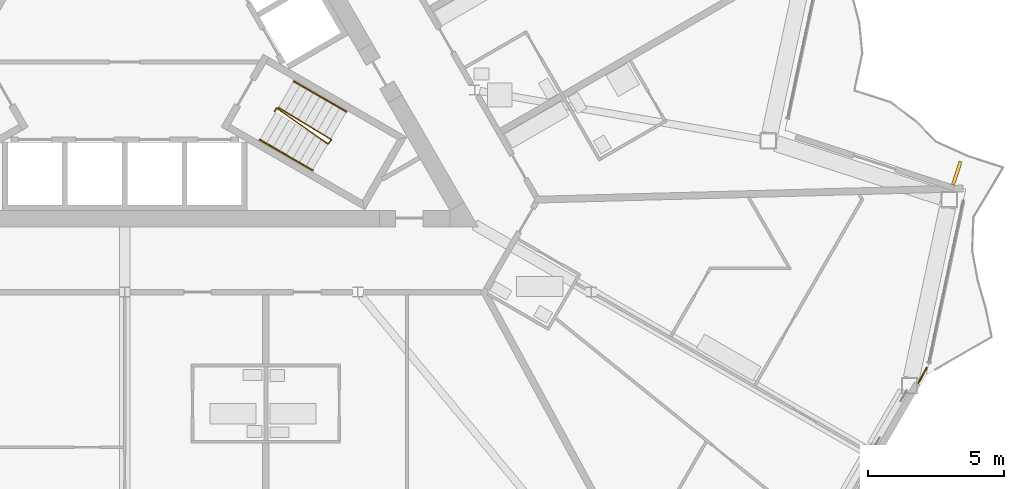
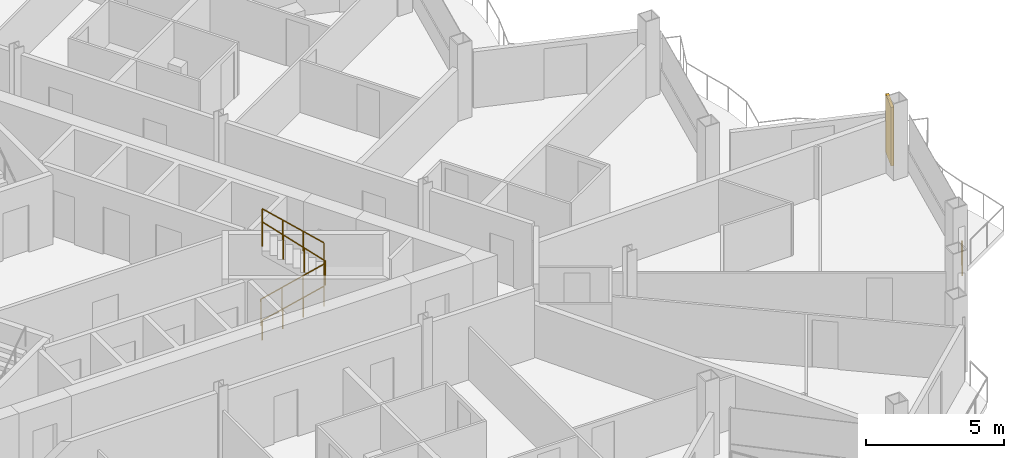
# One storey, part 24 of 28: 4 railings, 1 shading device.
"""IFC4 building model written with IfcOpenShell, lengths in metres."""

from ifc_helpers import new_model, si_unit, direction, frame, origin, origin_2d, place, context, subcontext, project, spatial, rectangle, circle, extrude, material, layer, layer_set, type_object, element, save


model = new_model("IFC4")

# Units and contexts
model_context = context("Model", 3, precision=1e-05, world=origin(), true_north=direction((0.0, 1.0)))
body_context = subcontext(model_context, "Body", "Model", "MODEL_VIEW")
ifc_project = project(units=[si_unit("LENGTHUNIT", "METRE"), si_unit("AREAUNIT", "SQUARE_METRE"), si_unit("VOLUMEUNIT", "CUBIC_METRE"), si_unit("PLANEANGLEUNIT", "RADIAN"), si_unit("MASSUNIT", "GRAM", prefix="KILO")], contexts=[model_context])

# Site, building, storey
site_placement = place(None, origin())
site = spatial("IfcSite", under=ifc_project, at=site_placement, CompositionType="ELEMENT")
building_placement = place(site_placement, origin())
building = spatial("IfcBuilding", under=site, at=building_placement, Name="Cormorant Prow Tower", CompositionType="ELEMENT")
storey_placement = place(building_placement, frame((0.0, 0.0, 301.800048828125)))
storey = spatial("IfcBuildingStorey", under=building, at=storey_placement, Name="L65", CompositionType="ELEMENT", Elevation=301.800048828125)

# Railings
ifc_material_1 = material(Name="Stainless steel", Category="steel")
railing_type_1 = type_object("IfcRailingType", Name="Facade corner guard 1100", PredefinedType="GUARDRAIL", material=ifc_material_1)
railing_1_placement = place(storey_placement, frame((29.5, -12.68505859375, 0.0)))
element("IfcRailing", 1, at=railing_1_placement, inside=storey, type_object=railing_type_1, Name="Facade corner guard L65 3", PredefinedType="GUARDRAIL", context=body_context, shape_type="SweptSolid", body=[
    extrude(circle(Radius=0.02392578125, at=origin_2d()), frame((0.0, 0.0, 1.076171875), z_axis=(-0.47945895364, -0.877564306347, 0.0), x_axis=(0.877564306347, -0.47945895364, 0.0)), (0.0, 0.0, 1.0), 0.648193359375),
    extrude(circle(Radius=0.02099609375, at=origin_2d()), origin(), (0.0, 0.0, 1.0), 1.052001953125),
    extrude(circle(Radius=0.02099609375, at=origin_2d()), frame((-0.310791015625, -0.56884765625, 0.0)), (0.0, 0.0, 1.0), 1.052001953125),
])
ifc_material_2 = material(Name="Stainless steel", Category="steel")
railing_type_2 = type_object("IfcRailingType", Name="Stair guard 1100", PredefinedType="GUARDRAIL", material=ifc_material_2)
railing_2_placement = place(storey_placement, frame((5.510009765625, -3.267822265625, 0.0)))
element("IfcRailing", 2, at=railing_2_placement, inside=storey, type_object=railing_type_2, Name="L65 ST2 stair guard 1", PredefinedType="GUARDRAIL", context=body_context, shape_type="SweptSolid", body=[
    extrude(circle(Radius=0.02392578125, at=origin_2d()), frame((0.0, 0.0, 1.076171875), z_axis=(0.501036270542, 0.865426285481, 0.0), x_axis=(-0.865426285481, 0.501036270542, 0.0)), (0.0, 0.0, 1.0), 0.150146484375),
    extrude(circle(Radius=0.02392578125, at=origin_2d()), frame((0.0751953125, 0.1298828125, 1.076171875), z_axis=(0.658670593711, -0.461060875852, 0.594622500196), x_axis=(0.573455215813, 0.819236910458, 0.0)), (0.0, 0.0, 1.0), 2.85888671875),
    extrude(circle(Radius=0.02392578125, at=origin_2d()), frame((1.958251953125, -1.188232421875, 2.77587890625), z_axis=(0.695164929852, 0.718850276695, 0.0), x_axis=(-0.718850276695, 0.695164929852, 0.0)), (0.0, 0.0, 1.0), 0.2060546875),
    extrude(circle(Radius=0.02392578125, at=origin_2d()), frame((2.1015625, -1.0400390625, 2.77587890625), z_axis=(-0.686515364547, 0.416565300991, 0.595961411712), x_axis=(-0.518752825935, -0.854924268918, 0.0)), (0.0, 0.0, 1.0), 2.8525390625),
    extrude(circle(Radius=0.02099609375, at=origin_2d()), origin(), (0.0, 0.0, 1.0), 1.052001953125),
    extrude(circle(Radius=0.02099609375, at=origin_2d()), frame((0.0751953125, 0.1298828125, 0.0)), (0.0, 0.0, 1.0), 1.052001953125),
    extrude(circle(Radius=0.02099609375, at=origin_2d()), frame((0.702880859375, -0.3095703125, 0.566650390625)), (0.0, 0.0, 1.0), 1.052001953125),
    extrude(circle(Radius=0.02099609375, at=origin_2d()), frame((1.33056640625, -0.748779296875, 1.13330078125)), (0.0, 0.0, 1.0), 1.052001953125),
    extrude(circle(Radius=0.02099609375, at=origin_2d()), frame((1.958251953125, -1.188232421875, 1.699951171875)), (0.0, 0.0, 1.0), 1.052001953125),
    extrude(circle(Radius=0.02099609375, at=origin_2d()), frame((2.1015625, -1.0400390625, 1.699951171875)), (0.0, 0.0, 1.0), 1.052001953125),
    extrude(circle(Radius=0.02099609375, at=origin_2d()), frame((1.44873046875, -0.64404296875, 2.2666015625)), (0.0, 0.0, 1.0), 1.052001953125),
    extrude(circle(Radius=0.02099609375, at=origin_2d()), frame((0.796142578125, -0.247802734375, 2.833251953125)), (0.0, 0.0, 1.0), 1.052001953125),
    extrude(circle(Radius=0.02099609375, at=origin_2d()), frame((0.143310546875, 0.148193359375, 3.39990234375)), (0.0, 0.0, 1.0), 1.052001953125),
])
ifc_material_3 = material(Name="Stainless steel", Category="steel")
railing_type_3 = type_object("IfcRailingType", Name="Stair handrail 900", PredefinedType="HANDRAIL", material=ifc_material_3)
railing_3_placement = place(storey_placement, frame((4.968994140625, -4.30517578125, 0.188720703125)))
element("IfcRailing", 3, at=railing_3_placement, inside=storey, type_object=railing_type_3, Name="L65 ST2 stair handrail 1", PredefinedType="HANDRAIL", context=body_context, shape_type="SweptSolid", body=[
    extrude(circle(Radius=0.02392578125, at=origin_2d()), frame((0.0, 0.0, 0.8759765625), z_axis=(0.717869644322, -0.414548260308, 0.559296802813), x_axis=(0.500077830873, 0.865980463445, 0.0)), (0.0, 0.0, 1.0), 2.701904296875),
    extrude(circle(Radius=0.02099609375, at=origin_2d()), origin(), (0.0, 0.0, 1.0), 0.851806640625),
    extrude(circle(Radius=0.02099609375, at=origin_2d()), frame((0.646484375, -0.373291015625, 0.503662109375)), (0.0, 0.0, 1.0), 0.851806640625),
    extrude(circle(Radius=0.02099609375, at=origin_2d()), frame((1.293212890625, -0.746826171875, 1.007568359375)), (0.0, 0.0, 1.0), 0.851806640625),
    extrude(circle(Radius=0.02099609375, at=origin_2d()), frame((1.939697265625, -1.1201171875, 1.51123046875)), (0.0, 0.0, 1.0), 0.851806640625),
])
railing_4_placement = place(storey_placement, frame((8.15283203125, -3.2705078125, 1.888916015625)))
element("IfcRailing", 4, at=railing_4_placement, inside=storey, type_object=railing_type_3, Name="L65 ST2 stair handrail 2", PredefinedType="HANDRAIL", context=body_context, shape_type="SweptSolid", body=[
    extrude(circle(Radius=0.02392578125, at=origin_2d()), frame((0.0, 0.0, 0.8759765625), z_axis=(-0.717976596433, 0.414467486514, 0.559219375198), x_axis=(-0.49994888933, -0.866054910533, 0.0)), (0.0, 0.0, 1.0), 2.701904296875),
    extrude(circle(Radius=0.02099609375, at=origin_2d()), origin(), (0.0, 0.0, 1.0), 0.851806640625),
    extrude(circle(Radius=0.02099609375, at=origin_2d()), frame((-0.646728515625, 0.373291015625, 0.503662109375)), (0.0, 0.0, 1.0), 0.851806640625),
    extrude(circle(Radius=0.02099609375, at=origin_2d()), frame((-1.293212890625, 0.74658203125, 1.00732421875)), (0.0, 0.0, 1.0), 0.851806640625),
    extrude(circle(Radius=0.02099609375, at=origin_2d()), frame((-1.93994140625, 1.119873046875, 1.510986328125)), (0.0, 0.0, 1.0), 0.851806640625),
])

# Shading device
ifc_material_4 = material(Name="Terracotta", Category="masonry")
ifc_layer = layer(ifc_material_4, 0.1201171875)
ifc_layer_set = layer_set([ifc_layer], Name="Terracotta")
shading_device_type = type_object("IfcShadingDeviceType", Name="Terracotta baguette fin 120x900x2600", PredefinedType="USERDEFINED", material=ifc_layer_set)
shading_device_placement = place(storey_placement, frame((30.600830078125, -5.536865234375, 0.0), z_axis=(0.0, 0.0, 1.0), x_axis=(-0.951056557274, 0.309016868255, 0.0)))
element("IfcShadingDevice", 5, at=shading_device_placement, inside=storey, type_object=shading_device_type, Name="Baguette fin ENE01", ObjectType="BAGUETTE", PredefinedType="USERDEFINED", context=body_context, shape_type="SweptSolid", body=[
    extrude(rectangle(XDim=0.1201171875, YDim=0.89990234375, at=origin_2d()), origin(), (0.0, 0.0, 1.0), 2.60009765625),
])

save(model, "model.ifc")
